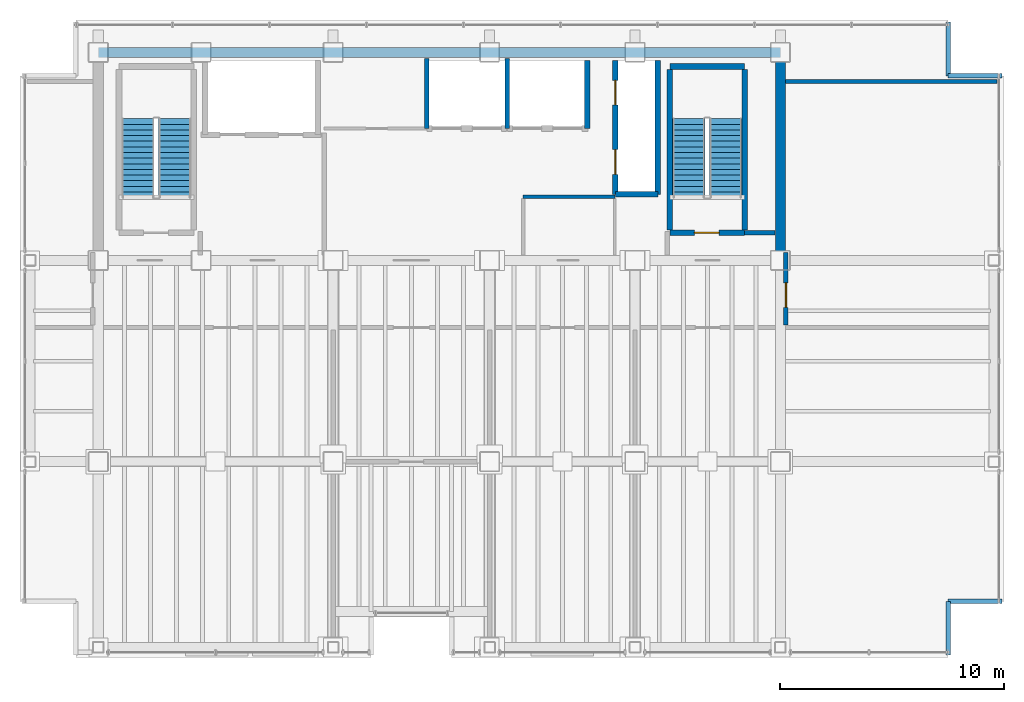
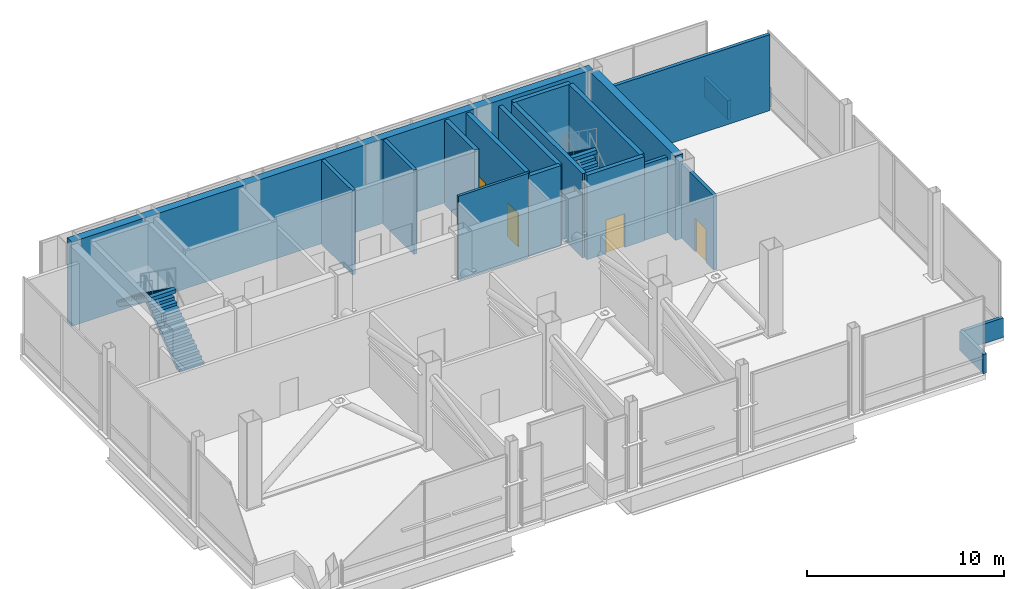
# One storey, part 17 of 18: 20 walls, 4 doors, 4 stair flights, 4 openings, 2 elements without a shape of their own.
"""IFC4 building model written with IfcOpenShell, lengths in metres."""

import ifcopenshell
import ifcopenshell.guid

model = None  # the IFC model being written
_history = None  # IfcOwnerHistory: only IFC2X3 demands one
_inside = {}  # id of a spatial element -> (the spatial element, [elements in it])
_under = {}  # id of a project, library or spatial element -> (it, [spatial elements below it])
_declared = {}  # id of a project -> (the project, [libraries it declares])
_typed = {}  # id of a type object -> (the type object, [elements of that type])
_made_of = {}  # id of a material, layer set ... -> (it, [elements and type objects made of it])


def new_model(schema):
    """Start an empty IFC model of exactly this schema.

    Asked for "IFC4X3", IfcOpenShell would pick the latest addendum, in which some entities
    have other attributes; the version numbers below select the first issue.
    IFC2X3 requires an IfcOwnerHistory on every rooted entity: one is made here for all.
    """
    global model, _history
    if schema == "IFC4X3":
        model = ifcopenshell.file(schema_version=(4, 3, 0, 0))
    else:
        model = ifcopenshell.file(schema=schema)
    _inside.clear()
    _under.clear()
    _declared.clear()
    _typed.clear()
    _made_of.clear()
    _history = None
    if model.schema == "IFC2X3":
        org = make("IfcOrganization", Name="unknown")
        user = make(
            "IfcPersonAndOrganization",
            ThePerson=make("IfcPerson", FamilyName="unknown"),
            TheOrganization=org,
        )
        app = make(
            "IfcApplication",
            ApplicationDeveloper=org,
            Version="unknown",
            ApplicationFullName="unknown",
            ApplicationIdentifier="unknown",
        )
        _history = make(
            "IfcOwnerHistory",
            OwningUser=user,
            OwningApplication=app,
            ChangeAction="ADDED",
            CreationDate=0,
        )
    return model


def make(cls, **values):
    """One entity of the class cls with the attributes given. An attribute that is None is left unset."""
    return model.create_entity(
        cls, **{name: value for name, value in values.items() if value is not None}
    )


def rooted(cls, **values):
    """An entity with a GlobalId (a new one), such as an element, a storey or a relation."""
    return make(cls, GlobalId=ifcopenshell.guid.new(), OwnerHistory=_history, **values)


def si_unit(unit_type, name, prefix=None):
    """IfcSIUnit, for example si_unit("LENGTHUNIT", "METRE", prefix="MILLI")."""
    return make("IfcSIUnit", UnitType=unit_type, Prefix=prefix, Name=name)


def assignment(units):
    """IfcUnitAssignment: the units of a project."""
    return None if units is None else make("IfcUnitAssignment", Units=units)


def point(xyz):
    """IfcCartesianPoint."""
    return None if xyz is None else make("IfcCartesianPoint", Coordinates=xyz)


def direction(xyz):
    """IfcDirection."""
    return None if xyz is None else make("IfcDirection", DirectionRatios=xyz)


def frame(location, z_axis=None, x_axis=None):
    """IfcAxis2Placement3D, a coordinate frame: its origin and axes. An axis left out is left unset."""
    return make(
        "IfcAxis2Placement3D",
        Location=point(location),
        Axis=direction(z_axis),
        RefDirection=direction(x_axis),
    )


def frame_2d(location, x_axis=None):
    """IfcAxis2Placement2D, a coordinate frame in the plane: its origin and x axis."""
    return make(
        "IfcAxis2Placement2D", Location=point(location), RefDirection=direction(x_axis)
    )


def origin():
    """The frame at (0, 0, 0) with its axes left unset."""
    return frame((0.0, 0.0, 0.0))


def place(relative_to, where):
    """IfcLocalPlacement: puts the frame where relative to a parent placement (None: the world)."""
    return make(
        "IfcLocalPlacement", PlacementRelTo=relative_to, RelativePlacement=where
    )


def context(
    kind, dimensions, precision=None, world=None, true_north=None, identifier=None
):
    """IfcGeometricRepresentationContext, for example the 3D "Model" context."""
    return make(
        "IfcGeometricRepresentationContext",
        ContextIdentifier=identifier,
        ContextType=kind,
        CoordinateSpaceDimension=dimensions,
        Precision=precision,
        WorldCoordinateSystem=world,
        TrueNorth=true_north,
    )


def subcontext(parent, identifier, kind, view, scale=None):
    """IfcGeometricRepresentationSubContext, for example "Body" below "Model"."""
    return make(
        "IfcGeometricRepresentationSubContext",
        ContextIdentifier=identifier,
        ContextType=kind,
        ParentContext=parent,
        TargetScale=scale,
        TargetView=view,
    )


def project(units=None, contexts=None):
    """IfcProject with its units and contexts."""
    return rooted(
        "IfcProject",
        Name="project",
        RepresentationContexts=contexts,
        UnitsInContext=assignment(units),
    )


def spatial(cls, under=None, at=None, **own):
    """A site, building, storey or space (cls), placed at a placement, below another one or the project."""
    s = rooted(cls, ObjectPlacement=at, **own)
    if under is not None:
        _under.setdefault(under.id(), (under, []))[1].append(s)
    return s


def polyline(points):
    """IfcPolyline through the points."""
    return make("IfcPolyline", Points=[point(p) for p in points])


def profile(cls, at=None, kind="AREA", **sizes):
    """A parametric profile (cls). Its sizes go by their IFC names, for example OverallWidth=200.0."""
    return make(cls, ProfileType=kind, Position=at, **sizes)


def rectangle(**sizes):
    """IfcRectangleProfileDef."""
    return profile("IfcRectangleProfileDef", **sizes)


def outline(outer, holes=None, kind="AREA"):
    """IfcArbitraryClosedProfileDef: a profile drawn as a closed curve; with holes, ...WithVoids."""
    if holes is None:
        return make("IfcArbitraryClosedProfileDef", ProfileType=kind, OuterCurve=outer)
    return make(
        "IfcArbitraryProfileDefWithVoids",
        ProfileType=kind,
        OuterCurve=outer,
        InnerCurves=holes,
    )


def extrude(swept, where, along, depth):
    """IfcExtrudedAreaSolid: the profile swept, set in the frame where, extruded along a direction by depth."""
    return make(
        "IfcExtrudedAreaSolid",
        SweptArea=swept,
        Position=where,
        ExtrudedDirection=direction(along),
        Depth=depth,
    )


def shape(context_of_items, identifier, shape_type, items):
    """IfcShapeRepresentation: the items that make up one representation, for example the "Body"."""
    return make(
        "IfcShapeRepresentation",
        ContextOfItems=context_of_items,
        RepresentationIdentifier=identifier,
        RepresentationType=shape_type,
        Items=items,
    )


def material(Name=None, Category=None):
    """IfcMaterial."""
    return make("IfcMaterial", Name=Name, Category=Category)


def layer(
    of_material, thickness, ventilated=None, Name=None, Category=None, Priority=None
):
    """IfcMaterialLayer: one layer of a wall or slab, of a material (None: an air gap)."""
    return make(
        "IfcMaterialLayer",
        Material=of_material,
        LayerThickness=thickness,
        IsVentilated=ventilated,
        Name=Name,
        Category=Category,
        Priority=Priority,
    )


def layer_set(layers, Name=None):
    """IfcMaterialLayerSet."""
    return make("IfcMaterialLayerSet", MaterialLayers=layers, LayerSetName=Name)


def made_of(thing, what):
    """Note that an element or type object is made of a material, layer set ...; save() writes the relation."""
    if what is not None:
        _made_of.setdefault(what.id(), (what, []))[1].append(thing)
    return thing


def type_object(cls, material=None, **own):
    """A type object (cls), such as IfcWallType, which elements share."""
    return made_of(rooted(cls, **own), material)


def element(
    cls,
    number,
    at=None,
    inside=None,
    cuts=None,
    type_object=None,
    material=None,
    context=None,
    identifier="Body",
    shape_type=None,
    held_by="IfcProductDefinitionShape",
    body=None,
    shapes=None,
    **own,
):
    """One element of the class cls, such as IfcWall. Its Tag is "e" and its number.

    at: its placement. inside: the storey or other place that contains it. cuts: it is an
    opening in that element (IfcRelVoidsElement). A single representation is given by context,
    identifier, shape_type and body (its items); several are given by shapes. held_by: the class
    of the entity that holds the representations. save() writes the other relations.
    """
    e = rooted(cls, Tag="e%d" % number, ObjectPlacement=at, **own)
    if body is not None:
        shapes = [shape(context, identifier, shape_type, body)]
    if shapes is not None:
        e.Representation = make(held_by, Representations=shapes)
    if inside is not None:
        _inside.setdefault(inside.id(), (inside, []))[1].append(e)
    if cuts is not None:
        rooted(
            "IfcRelVoidsElement", RelatingBuildingElement=cuts, RelatedOpeningElement=e
        )
    if type_object is not None:
        _typed.setdefault(type_object.id(), (type_object, []))[1].append(e)
    return made_of(e, material)


def fill(opening, filler):
    """IfcRelFillsElement: the door or window that sits in an opening."""
    return rooted(
        "IfcRelFillsElement",
        RelatingOpeningElement=opening,
        RelatedBuildingElement=filler,
    )


def aggregate(whole, parts):
    """IfcRelAggregates: a whole, such as a stair, and the parts it consists of."""
    return rooted("IfcRelAggregates", RelatingObject=whole, RelatedObjects=parts)


def save(model, path):
    """Write the relations noted so far, then the file.

    IfcRelAggregates (storeys below a building ...), IfcRelContainedInSpatialStructure (elements
    in a storey), IfcRelDefinesByType, IfcRelAssociatesMaterial and IfcRelDeclares: one each for
    every whole, place, type object, material and project.
    """
    for whole, parts in _under.values():
        aggregate(whole, parts)
    for where, things in _inside.values():
        rooted(
            "IfcRelContainedInSpatialStructure",
            RelatedElements=things,
            RelatingStructure=where,
        )
    for kind, things in _typed.values():
        rooted("IfcRelDefinesByType", RelatedObjects=things, RelatingType=kind)
    for what, things in _made_of.values():
        rooted("IfcRelAssociatesMaterial", RelatedObjects=things, RelatingMaterial=what)
    for by, libraries in _declared.values():
        rooted("IfcRelDeclares", RelatingContext=by, RelatedDefinitions=libraries)
    model.write(path)


model = new_model("IFC4")

# Units and contexts
model_context = context("Model", 3, precision=1e-05, world=origin(), true_north=direction((0.0, 1.0)))
body_context = subcontext(model_context, "Body", "Model", "MODEL_VIEW")
ifc_project = project(units=[si_unit("LENGTHUNIT", "METRE"), si_unit("AREAUNIT", "SQUARE_METRE"), si_unit("VOLUMEUNIT", "CUBIC_METRE"), si_unit("PLANEANGLEUNIT", "RADIAN"), si_unit("MASSUNIT", "GRAM", prefix="KILO")], contexts=[model_context])

# Site, building, storey
site_placement = place(None, origin())
site = spatial("IfcSite", under=ifc_project, at=site_placement, CompositionType="ELEMENT")
building_placement = place(site_placement, origin())
building = spatial("IfcBuilding", under=site, at=building_placement, Name="Noeulbin Bourse Tower", CompositionType="ELEMENT")
storey_placement = place(building_placement, frame((0.0, 0.0, 200.699951171875)))
storey = spatial("IfcBuildingStorey", under=building, at=storey_placement, Name="L50", CompositionType="ELEMENT", Elevation=200.699951171875)

# Walls
ifc_material_1 = material(Name="Concrete C50/60", Category="concrete")
ifc_layer_1 = layer(ifc_material_1, 0.449951171875)
ifc_layer_set_1 = layer_set([ifc_layer_1], Name="Concrete C50/60")
wall_type_1 = type_object("IfcWallType", Name="WAL-CORE-450", PredefinedType="SHEAR", material=ifc_layer_set_1)
wall_1_placement = place(storey_placement, frame((13.5, 38.300048828125, 0.0), z_axis=(0.0, 0.0, 1.0), x_axis=(1.0, 0.0, 0.0)))
element("IfcWall", 1, at=wall_1_placement, inside=storey, type_object=wall_type_1, Name="Rear Core North Shear Wall L50", PredefinedType="SHEAR", context=body_context, shape_type="SweptSolid", body=[
    extrude(rectangle(XDim=30.5, YDim=0.449951171875, at=frame_2d((15.25, 0.0))), origin(), (0.0, 0.0, 1.0), 5.219970703125),
])
wall_2_placement = place(storey_placement, frame((44.0, 29.35009765625, 0.0), z_axis=(0.0, 0.0, 1.0), x_axis=(0.0, 1.0, 0.0)))
element("IfcWall", 2, at=wall_2_placement, inside=storey, type_object=wall_type_1, Name="Rear Core East Shear Wall L50", PredefinedType="SHEAR", context=body_context, shape_type="SweptSolid", body=[
    extrude(rectangle(XDim=8.599853515625, YDim=0.449951171875, at=frame_2d((4.2998046875, 0.0))), origin(), (0.0, 0.0, 1.0), 5.219970703125),
])
ifc_material_2 = material(Name="Concrete C40/50", Category="concrete")
ifc_layer_2 = layer(ifc_material_2, 0.199951171875)
ifc_layer_set_2 = layer_set([ifc_layer_2], Name="Concrete C40/50")
wall_type_2 = type_object("IfcWallType", Name="WAL-FIRE-200", PredefinedType="STANDARD", material=ifc_layer_set_2)
wall_3_placement = place(storey_placement, frame((42.39990234375, 30.239990234375, 0.0), z_axis=(0.0, 0.0, 1.0), x_axis=(1.0, 0.0, 0.0)))
element("IfcWall", 3, at=wall_3_placement, inside=storey, type_object=wall_type_2, Name="Interior Partition Wall L50-01", PredefinedType="STANDARD", context=body_context, shape_type="SweptSolid", body=[
    extrude(rectangle(XDim=1.364990234375, YDim=0.199951171875, at=frame_2d((0.6826171875, 0.0))), origin(), (0.0, 0.0, 1.0), 4.699951171875),
])
wall_4_placement = place(storey_placement, frame((44.235107421875, 37.0, 0.0), z_axis=(0.0, 0.0, 1.0), x_axis=(1.0, 0.0, 0.0)))
element("IfcWall", 4, at=wall_4_placement, inside=storey, type_object=wall_type_2, Name="Interior Partition Wall L50-06", PredefinedType="STANDARD", context=body_context, shape_type="SweptSolid", body=[
    extrude(rectangle(XDim=9.454833984375, YDim=0.199951171875, at=frame_2d((4.7275390625, 0.0))), origin(), (0.0, 0.0, 1.0), 4.699951171875),
])

# Wall, opening, door
wall_5_placement = place(storey_placement, frame((44.25, 26.110107421875, 0.0), z_axis=(0.0, 0.0, 1.0), x_axis=(0.0, 1.0, 0.0)))
wall_5 = element("IfcWall", 5, at=wall_5_placement, inside=storey, type_object=wall_type_2, Name="Interior Partition Wall L50-14", PredefinedType="STANDARD", context=body_context, shape_type="SweptSolid", body=[
    extrude(rectangle(XDim=3.239990234375, YDim=0.199951171875, at=frame_2d((1.6201171875, 0.0))), origin(), (0.0, 0.0, 1.0), 4.60009765625),
])
opening_1_placement = place(wall_5_placement, frame((0.7900390625, 0.0, 0.0)))
opening_1 = element("IfcOpeningElement", 6, at=opening_1_placement, cuts=wall_5, Name="Opening FD-11", PredefinedType="OPENING", context=body_context, shape_type="SweptSolid", body=[
    extrude(rectangle(XDim=1.10009765625, YDim=2.080078125, at=frame_2d((0.550048828125, 1.0400390625))), frame((0.0, 0.10986328125, 0.0), z_axis=(0.0, -1.0, 0.0), x_axis=(1.0, 0.0, 0.0)), (0.0, 0.0, 1.0), 0.219970703125),
])
ifc_material_3 = material(Name="Fire-Rated Insulated Steel", Category="steel")
door_type_1 = type_object("IfcDoorType", Name="DR-FD60-1100", OperationType="SINGLE_SWING_LEFT", PredefinedType="DOOR", material=ifc_material_3)
door_1_placement = place(opening_1_placement, origin())
door_1 = element("IfcDoor", 7, at=door_1_placement, inside=storey, type_object=door_type_1, Name="Interior Door L50-08", OperationType="SINGLE_SWING_RIGHT", OverallHeight=2.080078125, OverallWidth=1.10009765625, PredefinedType="DOOR", context=body_context, shape_type="SweptSolid", body=[
    extrude(rectangle(XDim=1.10009765625, YDim=2.080078125, at=frame_2d((0.550048828125, 1.0400390625))), frame((0.0, 0.02490234375, 0.0), z_axis=(0.0, -1.0, 0.0), x_axis=(1.0, 0.0, 0.0)), (0.0, 0.0, 1.0), 0.050048828125),
])
fill(opening_1, door_1)

# Walls
ifc_layer_3 = layer(ifc_material_2, 0.199951171875)
ifc_layer_set_3 = layer_set([ifc_layer_3], Name="Concrete C40/50")
wall_type_3 = type_object("IfcWallType", Name="WAL-PAR-200", PredefinedType="PARAPET", material=ifc_layer_set_3)
for number, where, z_axis, x_axis, name in (
    (8, (51.5, 11.35009765625, 0.0), (0.0, 0.0, 1.0), (0.0, 1.0, 0.0), "Corner Notch Parapet L50-SE1"),
    (9, (51.5, 13.75, 0.0), (0.0, 0.0, 1.0), (1.0, 0.0, 0.0), "Corner Notch Parapet L50-SE2"),
    (10, (51.5, 39.64990234375, 0.0), (0.0, 0.0, 1.0), (0.0, -1.0, 0.0), "Corner Notch Parapet L50-NE1"),
    (11, (51.5, 37.25, 0.0), (0.0, 0.0, 1.0), (1.0, 0.0, 0.0), "Corner Notch Parapet L50-NE2"),
):
    element("IfcWall", number, at=place(storey_placement, frame(where, z_axis=z_axis, x_axis=x_axis)), inside=storey, type_object=wall_type_3, Name=name, PredefinedType="PARAPET", context=body_context, shape_type="SweptSolid", body=[
        extrude(rectangle(XDim=2.39990234375, YDim=0.199951171875, at=frame_2d((1.199951171875, 0.0))), origin(), (0.0, 0.0, 1.0), 1.199951171875),
    ])
ifc_material_4 = material(Name="Steel Stud Acoustic Gypsum Board", Category="steel")
ifc_layer_4 = layer(ifc_material_4, 0.14990234375)
ifc_layer_set_4 = layer_set([ifc_layer_4], Name="Steel Stud Acoustic Gypsum Board")
wall_type_4 = type_object("IfcWallType", Name="WAL-PRT-150", PredefinedType="PARTITIONING", material=ifc_layer_set_4)
wall_6_placement = place(storey_placement, frame((32.5, 31.85009765625, 0.0), z_axis=(0.0, 0.0, 1.0), x_axis=(1.0, 0.0, 0.0)))
element("IfcWall", 12, at=wall_6_placement, inside=storey, type_object=wall_type_4, Name="Interior Partition Wall L50-03", PredefinedType="PARTITIONING", context=body_context, shape_type="SweptSolid", body=[
    extrude(rectangle(XDim=4.10009765625, YDim=0.14990234375, at=frame_2d((2.050048828125, 0.0))), origin(), (0.0, 0.0, 1.0), 5.219970703125),
])

# Wall, opening, door
ifc_layer_5 = layer(ifc_material_2, 0.25)
ifc_layer_set_5 = layer_set([ifc_layer_5], Name="Concrete C40/50")
wall_type_5 = type_object("IfcWallType", Name="WAL-SHFT-250", PredefinedType="STANDARD", material=ifc_layer_set_5)
wall_7_placement = place(storey_placement, frame((39.06005859375, 30.235107421875, 0.0), z_axis=(0.0, 0.0, 1.0), x_axis=(1.0, 0.0, 0.0)))
wall_7 = element("IfcWall", 13, at=wall_7_placement, inside=storey, type_object=wall_type_5, Name="Stair ST-2 South Shaft Wall L50", PredefinedType="STANDARD", context=body_context, shape_type="SweptSolid", body=[
    extrude(rectangle(XDim=3.33984375, YDim=0.25, at=frame_2d((1.669921875, 0.0))), origin(), (0.0, 0.0, 1.0), 5.219970703125),
])
opening_2_placement = place(wall_7_placement, frame((1.10009765625, 0.0, 0.0)))
opening_2 = element("IfcOpeningElement", 14, at=opening_2_placement, cuts=wall_7, Name="Opening FD-11", PredefinedType="OPENING", context=body_context, shape_type="SweptSolid", body=[
    extrude(rectangle(XDim=1.10009765625, YDim=2.080078125, at=frame_2d((0.550048828125, 1.0400390625))), frame((0.0, 0.135009765625, 0.0), z_axis=(0.0, -1.0, 0.0), x_axis=(1.0, 0.0, 0.0)), (0.0, 0.0, 1.0), 0.27001953125),
])
door_2_placement = place(opening_2_placement, origin())
door_2 = element("IfcDoor", 15, at=door_2_placement, inside=storey, type_object=door_type_1, Name="Protected Stair Entry Door ST2-L50", OperationType="SINGLE_SWING_RIGHT", OverallHeight=2.080078125, OverallWidth=1.10009765625, PredefinedType="DOOR", context=body_context, shape_type="SweptSolid", body=[
    extrude(rectangle(XDim=1.10009765625, YDim=2.080078125, at=frame_2d((0.550048828125, 1.0400390625))), frame((0.0, 0.02490234375, 0.0), z_axis=(0.0, -1.0, 0.0), x_axis=(1.0, 0.0, 0.0)), (0.0, 0.0, 1.0), 0.050048828125),
])
fill(opening_2, door_2)

# Walls
wall_8_placement = place(storey_placement, frame((39.06005859375, 37.6689453125, 0.0), z_axis=(0.0, 0.0, 1.0), x_axis=(1.0, 0.0, 0.0)))
element("IfcWall", 16, at=wall_8_placement, inside=storey, type_object=wall_type_5, Name="Stair ST-2 North Shaft Wall L50", PredefinedType="STANDARD", context=body_context, shape_type="SweptSolid", body=[
    extrude(rectangle(XDim=3.33984375, YDim=0.25, at=frame_2d((1.669921875, 0.0))), origin(), (0.0, 0.0, 1.0), 5.219970703125),
])
for number, where, z_axis, x_axis, name in (
    (17, (39.054931640625, 30.360107421875, 0.0), (0.0, 0.0, 1.0), (0.0, 1.0, 0.0), "Stair ST-2 West Shaft Wall L50"),
    (18, (42.405029296875, 30.360107421875, 0.0), (0.0, 0.0, 1.0), (0.0, 1.0, 0.0), "Stair ST-2 East Shaft Wall L50"),
):
    element("IfcWall", number, at=place(storey_placement, frame(where, z_axis=z_axis, x_axis=x_axis)), inside=storey, type_object=wall_type_5, Name=name, PredefinedType="STANDARD", context=body_context, shape_type="SweptSolid", body=[
        extrude(rectangle(XDim=7.183837890625, YDim=0.25, at=frame_2d((3.591796875, 0.0))), origin(), (0.0, 0.0, 1.0), 5.219970703125),
    ])

# Wall, openings, doors
wall_9_placement = place(storey_placement, frame((36.6201171875, 31.949951171875, 0.0), z_axis=(0.0, 0.0, 1.0), x_axis=(0.0, 1.0, 0.0)))
wall_9 = element("IfcWall", 19, at=wall_9_placement, inside=storey, type_object=wall_type_5, Name="Service Lift Shaft Wall L50", PredefinedType="STANDARD", context=body_context, shape_type="SweptSolid", body=[
    extrude(rectangle(XDim=6.0, YDim=0.25, at=frame_2d((3.0, 0.0))), origin(), (0.0, 0.0, 1.0), 5.219970703125),
])
opening_3_placement = place(wall_9_placement, frame((0.89990234375, 0.0, 0.0)))
opening_3 = element("IfcOpeningElement", 20, at=opening_3_placement, cuts=wall_9, Name="Opening LD-11", PredefinedType="OPENING", context=body_context, shape_type="SweptSolid", body=[
    extrude(rectangle(XDim=1.10009765625, YDim=2.080078125, at=frame_2d((0.550048828125, 1.0400390625))), frame((0.0, 0.135009765625, 0.0), z_axis=(0.0, -1.0, 0.0), x_axis=(1.0, 0.0, 0.0)), (0.0, 0.0, 1.0), 0.27001953125),
])
opening_4_placement = place(wall_9_placement, frame((4.0, 0.0, 0.0)))
opening_4 = element("IfcOpeningElement", 21, at=opening_4_placement, cuts=wall_9, Name="Opening LD-11", PredefinedType="OPENING", context=body_context, shape_type="SweptSolid", body=[
    extrude(rectangle(XDim=1.10009765625, YDim=2.080078125, at=frame_2d((0.550048828125, 1.0400390625))), frame((0.0, 0.135009765625, 0.0), z_axis=(0.0, -1.0, 0.0), x_axis=(1.0, 0.0, 0.0)), (0.0, 0.0, 1.0), 0.27001953125),
])
ifc_material_5 = material(Name="Brushed Stainless Steel 316", Category="steel")
door_type_2 = type_object("IfcDoorType", Name="DR-LIFT-1100", OperationType="SLIDING_TO_LEFT", PredefinedType="DOOR", material=ifc_material_5)
door_3_placement = place(opening_3_placement, origin())
door_3 = element("IfcDoor", 22, at=door_3_placement, inside=storey, type_object=door_type_2, Name="Lift Landing Door LD-EL-01-L50", OperationType="SLIDING_TO_LEFT", OverallHeight=2.080078125, OverallWidth=1.10009765625, PredefinedType="DOOR", context=body_context, shape_type="SweptSolid", body=[
    extrude(rectangle(XDim=1.10009765625, YDim=2.080078125, at=frame_2d((0.550048828125, 1.0400390625))), frame((0.0, 0.02490234375, 0.0), z_axis=(0.0, -1.0, 0.0), x_axis=(1.0, 0.0, 0.0)), (0.0, 0.0, 1.0), 0.050048828125),
])
fill(opening_3, door_3)
door_4_placement = place(opening_4_placement, origin())
door_4 = element("IfcDoor", 23, at=door_4_placement, inside=storey, type_object=door_type_2, Name="Lift Landing Door LD-SV-01-L50", OperationType="SLIDING_TO_LEFT", OverallHeight=2.080078125, OverallWidth=1.10009765625, PredefinedType="DOOR", context=body_context, shape_type="SweptSolid", body=[
    extrude(rectangle(XDim=1.10009765625, YDim=2.080078125, at=frame_2d((0.550048828125, 1.0400390625))), frame((0.0, 0.02490234375, 0.0), z_axis=(0.0, -1.0, 0.0), x_axis=(1.0, 0.0, 0.0)), (0.0, 0.0, 1.0), 0.050048828125),
])
fill(opening_4, door_4)

# Walls
wall_10_placement = place(storey_placement, frame((38.52001953125, 31.949951171875, 0.0), z_axis=(0.0, 0.0, 1.0), x_axis=(0.0, 1.0, 0.0)))
element("IfcWall", 24, at=wall_10_placement, inside=storey, type_object=wall_type_5, Name="Service Lift East Shaft Wall L50", PredefinedType="STANDARD", context=body_context, shape_type="SweptSolid", body=[
    extrude(rectangle(XDim=6.0, YDim=0.25, at=frame_2d((3.0, 0.0))), origin(), (0.0, 0.0, 1.0), 4.97998046875),
])
wall_11_placement = place(storey_placement, frame((36.6201171875, 31.949951171875, 0.0), z_axis=(0.0, 0.0, 1.0), x_axis=(1.0, 0.0, 0.0)))
element("IfcWall", 25, at=wall_11_placement, inside=storey, type_object=wall_type_5, Name="Service Lift South Shaft Wall L50", PredefinedType="STANDARD", context=body_context, shape_type="SweptSolid", body=[
    extrude(rectangle(XDim=1.89990234375, YDim=0.25, at=frame_2d((0.949951171875, 0.0))), origin(), (0.0, 0.0, 1.0), 4.97998046875),
])
wall_12_placement = place(storey_placement, frame((35.360107421875, 34.89990234375, 0.0), z_axis=(0.0, 0.0, 1.0), x_axis=(0.0, 1.0, 0.0)))
element("IfcWall", 26, at=wall_12_placement, inside=storey, type_object=wall_type_5, Name="High-Rise Lift East Shaft Wall L50", PredefinedType="STANDARD", context=body_context, shape_type="SweptSolid", body=[
    extrude(rectangle(XDim=3.050048828125, YDim=0.25, at=frame_2d((1.52490234375, 0.0))), origin(), (0.0, 0.0, 1.0), 5.219970703125),
])
for number, where, z_axis, x_axis, name in (
    (27, (28.179931640625, 34.89990234375, 0.0), (0.0, 0.0, 1.0), (0.0, 1.0, 0.0), "Hoistway Side Shaft Wall L50-PLMW"),
    (28, (31.780029296875, 34.89990234375, 0.0), (0.0, 0.0, 1.0), (0.0, 1.0, 0.0), "Hoistway Side Shaft Wall L50-PLHW"),
):
    element("IfcWall", number, at=place(storey_placement, frame(where, z_axis=z_axis, x_axis=x_axis)), inside=storey, type_object=wall_type_5, Name=name, PredefinedType="STANDARD", context=body_context, shape_type="SweptSolid", body=[
        extrude(rectangle(XDim=3.1201171875, YDim=0.199951171875, at=frame_2d((1.56005859375, 0.0))), origin(), (0.0, 0.0, 1.0), 5.219970703125),
    ])

# Stair, stair flights
stair_type = type_object("IfcStairType", Name="STR-CORE-1560", PredefinedType="HALF_TURN_STAIR", material=ifc_material_2)
stair_1_placement = place(storey_placement, origin())
stair_1 = element("IfcStair", 29, at=stair_1_placement, inside=storey, type_object=stair_type, Name="L50 ST-1", PredefinedType="HALF_TURN_STAIR")
stair_flight_type = type_object("IfcStairFlightType", Name="SFL-CORE-1560", PredefinedType="STRAIGHT", material=ifc_material_2)
stair_flight_1_placement = place(storey_placement, frame((16.925048828125, 31.81005859375, 0.0), z_axis=(0.0, 0.0, 1.0), x_axis=(0.0, 1.0, 0.0)))
stair_flight_1 = element("IfcStairFlight", 30, at=stair_flight_1_placement, type_object=stair_flight_type, Name="ST-1 flight 1", NumberOfRisers=15, NumberOfTreads=14, PredefinedType="STRAIGHT", RiserHeight=0.18, TreadLength=0.252, context=body_context, shape_type="SweptSolid", body=[
    extrude(outline(polyline([(0.0, 0.0), (0.0, 0.179931640625), (0.251953125, 0.179931640625), (0.251953125, 0.360107421875), (0.50390625, 0.360107421875), (0.50390625, 0.5400390625), (0.756103515625, 0.5400390625), (0.756103515625, 0.719970703125), (1.008056640625, 0.719970703125), (1.008056640625, 0.89990234375), (1.260009765625, 0.89990234375), (1.260009765625, 1.080078125), (1.511962890625, 1.080078125), (1.511962890625, 1.260009765625), (1.763916015625, 1.260009765625), (1.763916015625, 1.43994140625), (2.01611328125, 1.43994140625), (2.01611328125, 1.6201171875), (2.26806640625, 1.6201171875), (2.26806640625, 1.800048828125), (2.52001953125, 1.800048828125), (2.52001953125, 1.97998046875), (2.77197265625, 1.97998046875), (2.77197265625, 2.159912109375), (3.02392578125, 2.159912109375), (3.02392578125, 2.340087890625), (3.27587890625, 2.340087890625), (3.27587890625, 2.52001953125), (3.528076171875, 2.52001953125), (3.528076171875, 2.699951171875), (3.528076171875, 2.298828125), (0.3095703125, 0.0), (0.0, 0.0)])), frame((0.0, 0.72509765625, 0.0), z_axis=(0.0, -1.0, 0.0), x_axis=(1.0, 0.0, 0.0)), (0.0, 0.0, 1.0), 1.449951171875),
])
stair_flight_2_placement = place(storey_placement, frame((15.27490234375, 35.337890625, 2.699951171875), z_axis=(0.0, 0.0, 1.0), x_axis=(0.0, -1.0, 0.0)))
stair_flight_2 = element("IfcStairFlight", 31, at=stair_flight_2_placement, type_object=stair_flight_type, Name="ST-1 flight 2", NumberOfRisers=15, NumberOfTreads=14, PredefinedType="STRAIGHT", RiserHeight=0.18, TreadLength=0.252, context=body_context, shape_type="SweptSolid", body=[
    extrude(outline(polyline([(0.0, 0.0), (0.0, 0.179931640625), (0.251953125, 0.179931640625), (0.251953125, 0.360107421875), (0.50390625, 0.360107421875), (0.50390625, 0.5400390625), (0.756103515625, 0.5400390625), (0.756103515625, 0.719970703125), (1.008056640625, 0.719970703125), (1.008056640625, 0.89990234375), (1.260009765625, 0.89990234375), (1.260009765625, 1.080078125), (1.511962890625, 1.080078125), (1.511962890625, 1.260009765625), (1.763916015625, 1.260009765625), (1.763916015625, 1.43994140625), (2.01611328125, 1.43994140625), (2.01611328125, 1.6201171875), (2.26806640625, 1.6201171875), (2.26806640625, 1.800048828125), (2.52001953125, 1.800048828125), (2.52001953125, 1.97998046875), (2.77197265625, 1.97998046875), (2.77197265625, 2.159912109375), (3.02392578125, 2.159912109375), (3.02392578125, 2.340087890625), (3.27587890625, 2.340087890625), (3.27587890625, 2.52001953125), (3.528076171875, 2.52001953125), (3.528076171875, 2.699951171875), (3.528076171875, 2.298828125), (0.3095703125, 0.0), (0.0, 0.0)])), frame((0.0, 0.72509765625, 0.0), z_axis=(0.0, -1.0, 0.0), x_axis=(1.0, 0.0, 0.0)), (0.0, 0.0, 1.0), 1.449951171875),
])
aggregate(stair_1, [stair_flight_1, stair_flight_2])

stair_2_placement = place(storey_placement, origin())
stair_2 = element("IfcStair", 32, at=stair_2_placement, inside=storey, type_object=stair_type, Name="L50 ST-2", PredefinedType="HALF_TURN_STAIR")
stair_flight_3_placement = place(storey_placement, frame((41.554931640625, 31.81005859375, 0.0), z_axis=(0.0, 0.0, 1.0), x_axis=(0.0, 1.0, 0.0)))
stair_flight_3 = element("IfcStairFlight", 33, at=stair_flight_3_placement, type_object=stair_flight_type, Name="ST-2 flight 1", NumberOfRisers=15, NumberOfTreads=14, PredefinedType="STRAIGHT", RiserHeight=0.18, TreadLength=0.252, context=body_context, shape_type="SweptSolid", body=[
    extrude(outline(polyline([(0.0, 0.0), (0.0, 0.179931640625), (0.251953125, 0.179931640625), (0.251953125, 0.360107421875), (0.50390625, 0.360107421875), (0.50390625, 0.5400390625), (0.756103515625, 0.5400390625), (0.756103515625, 0.719970703125), (1.008056640625, 0.719970703125), (1.008056640625, 0.89990234375), (1.260009765625, 0.89990234375), (1.260009765625, 1.080078125), (1.511962890625, 1.080078125), (1.511962890625, 1.260009765625), (1.763916015625, 1.260009765625), (1.763916015625, 1.43994140625), (2.01611328125, 1.43994140625), (2.01611328125, 1.6201171875), (2.26806640625, 1.6201171875), (2.26806640625, 1.800048828125), (2.52001953125, 1.800048828125), (2.52001953125, 1.97998046875), (2.77197265625, 1.97998046875), (2.77197265625, 2.159912109375), (3.02392578125, 2.159912109375), (3.02392578125, 2.340087890625), (3.27587890625, 2.340087890625), (3.27587890625, 2.52001953125), (3.528076171875, 2.52001953125), (3.528076171875, 2.699951171875), (3.528076171875, 2.298828125), (0.3095703125, 0.0), (0.0, 0.0)])), frame((0.0, 0.72509765625, 0.0), z_axis=(0.0, -1.0, 0.0), x_axis=(1.0, 0.0, 0.0)), (0.0, 0.0, 1.0), 1.449951171875),
])
stair_flight_4_placement = place(storey_placement, frame((39.905029296875, 35.337890625, 2.699951171875), z_axis=(0.0, 0.0, 1.0), x_axis=(0.0, -1.0, 0.0)))
stair_flight_4 = element("IfcStairFlight", 34, at=stair_flight_4_placement, type_object=stair_flight_type, Name="ST-2 flight 2", NumberOfRisers=15, NumberOfTreads=14, PredefinedType="STRAIGHT", RiserHeight=0.18, TreadLength=0.252, context=body_context, shape_type="SweptSolid", body=[
    extrude(outline(polyline([(0.0, 0.0), (0.0, 0.179931640625), (0.251953125, 0.179931640625), (0.251953125, 0.360107421875), (0.50390625, 0.360107421875), (0.50390625, 0.5400390625), (0.756103515625, 0.5400390625), (0.756103515625, 0.719970703125), (1.008056640625, 0.719970703125), (1.008056640625, 0.89990234375), (1.260009765625, 0.89990234375), (1.260009765625, 1.080078125), (1.511962890625, 1.080078125), (1.511962890625, 1.260009765625), (1.763916015625, 1.260009765625), (1.763916015625, 1.43994140625), (2.01611328125, 1.43994140625), (2.01611328125, 1.6201171875), (2.26806640625, 1.6201171875), (2.26806640625, 1.800048828125), (2.52001953125, 1.800048828125), (2.52001953125, 1.97998046875), (2.77197265625, 1.97998046875), (2.77197265625, 2.159912109375), (3.02392578125, 2.159912109375), (3.02392578125, 2.340087890625), (3.27587890625, 2.340087890625), (3.27587890625, 2.52001953125), (3.528076171875, 2.52001953125), (3.528076171875, 2.699951171875), (3.528076171875, 2.298828125), (0.3095703125, 0.0), (0.0, 0.0)])), frame((0.0, 0.72509765625, 0.0), z_axis=(0.0, -1.0, 0.0), x_axis=(1.0, 0.0, 0.0)), (0.0, 0.0, 1.0), 1.449951171875),
])
aggregate(stair_2, [stair_flight_3, stair_flight_4])

save(model, "model.ifc")
